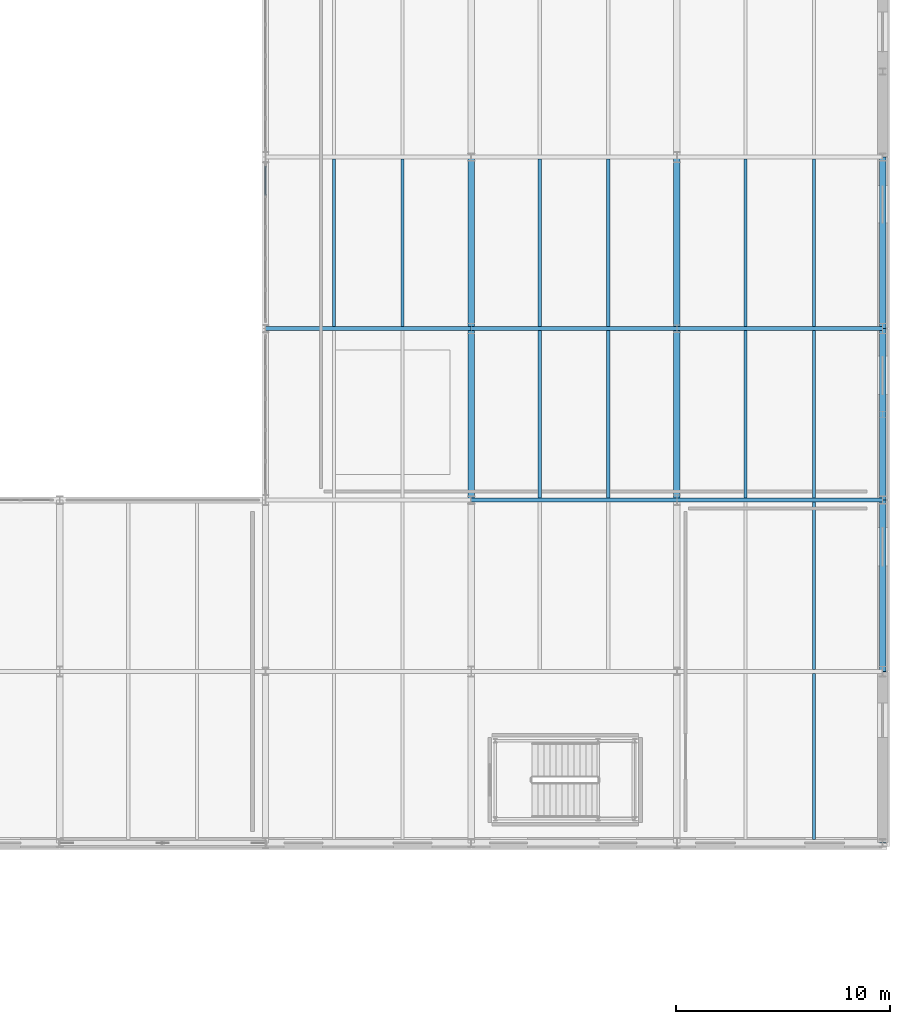
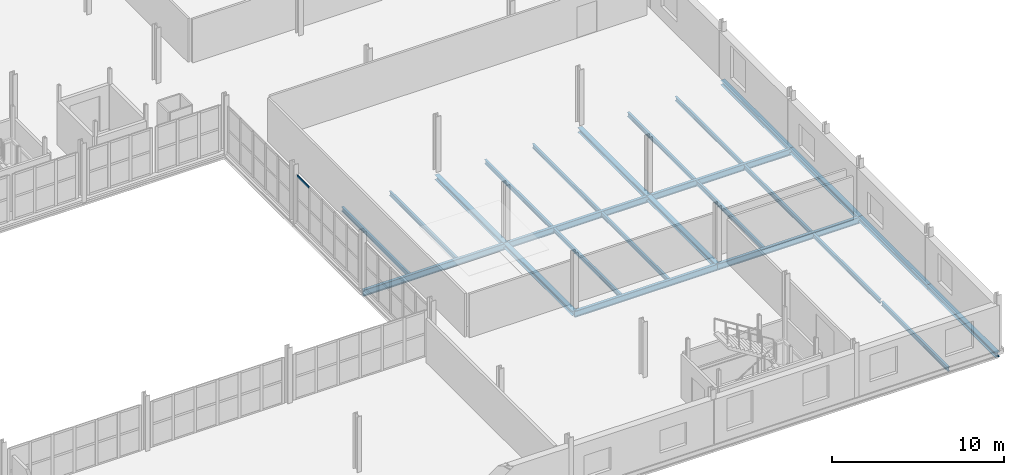
# One storey, part 45 of 78: 25 beams, 1 member, 1 element without a shape of its own.
"""IFC4 building model written with IfcOpenShell, lengths in metres."""

from ifc_helpers import new_model, si_unit, direction, frame, origin, origin_2d, place, context, subcontext, project, spatial, rectangle, i_section, extrude, material, layer, layer_set, material_profile, profile_set, type_object, element, aggregate, save


model = new_model("IFC4")

# Units and contexts
model_context = context("Model", 3, precision=1e-05, world=origin(), true_north=direction((0.0, 1.0)))
body_context = subcontext(model_context, "Body", "Model", "MODEL_VIEW")
ifc_project = project(units=[si_unit("LENGTHUNIT", "METRE"), si_unit("AREAUNIT", "SQUARE_METRE"), si_unit("VOLUMEUNIT", "CUBIC_METRE"), si_unit("PLANEANGLEUNIT", "RADIAN"), si_unit("MASSUNIT", "GRAM", prefix="KILO")], contexts=[model_context])

# Site, building, storey
site_placement = place(None, origin())
site = spatial("IfcSite", under=ifc_project, at=site_placement, CompositionType="ELEMENT")
building_placement = place(site_placement, origin())
building = spatial("IfcBuilding", under=site, at=building_placement, Name="Alderhovde Museum", CompositionType="ELEMENT")
storey_placement = place(building_placement, frame((0.0, 0.0, 4.5)))
storey = spatial("IfcBuildingStorey", under=building, at=storey_placement, Name="L01", CompositionType="ELEMENT", Elevation=4.5)

# Beams
ifc_material_1 = material(Name="Steel S355J2", Category="steel")
ifc_material_profile_1 = material_profile(ifc_material_1, i_section(OverallWidth=0.300048828125, OverallDepth=0.330078125, WebThickness=0.009521484375, FlangeThickness=0.0166015625, FilletRadius=0.027099609375, at=origin_2d()), Name="HEA 340")
ifc_profile_set_1 = profile_set([ifc_material_profile_1], Name="Steel S355J2")
beam_type_1 = type_object("IfcBeamType", Name="BM-HEA340", PredefinedType="BEAM", material=ifc_profile_set_1)
for number, where, z_axis, x_axis, name in (
    (1, (153.60009765625, 48.0, -0.425048828125), (0.0, 1.0, 0.0), (-1.0, 0.0, 0.0), "L01 Grid Beam X=153.6 (48.0 TO 56.0)"),
    (2, (153.60009765625, 56.0, -0.425048828125), (0.0, 1.0, 0.0), (-1.0, 0.0, 0.0), "L01 Grid Beam X=153.6 (56.0 TO 64.0)"),
    (3, (163.199951171875, 48.0, -0.425048828125), (0.0, 1.0, 0.0), (-1.0, 0.0, 0.0), "L01 Grid Beam X=163.2 (48.0 TO 56.0)"),
    (4, (163.199951171875, 56.0, -0.425048828125), (0.0, 1.0, 0.0), (-1.0, 0.0, 0.0), "L01 Grid Beam X=163.2 (56.0 TO 64.0)"),
    (5, (172.800048828125, 32.0, -0.425048828125), (0.0, 1.0, 0.0), (-1.0, 0.0, 0.0), "L01 Grid Beam X=172.8 (32.0 TO 40.0)"),
    (6, (172.800048828125, 40.0, -0.425048828125), (0.0, 1.0, 0.0), (-1.0, 0.0, 0.0), "L01 Grid Beam X=172.8 (40.0 TO 48.0)"),
    (7, (172.800048828125, 48.0, -0.425048828125), (0.0, 1.0, 0.0), (-1.0, 0.0, 0.0), "L01 Grid Beam X=172.8 (48.0 TO 56.0)"),
    (8, (172.800048828125, 56.0, -0.425048828125), (0.0, 1.0, 0.0), (-1.0, 0.0, 0.0), "L01 Grid Beam X=172.8 (56.0 TO 64.0)"),
):
    element("IfcBeam", number, at=place(storey_placement, frame(where, z_axis=z_axis, x_axis=x_axis)), inside=storey, type_object=beam_type_1, Name=name, PredefinedType="BEAM", context=body_context, shape_type="SweptSolid", body=[
        extrude(i_section(OverallWidth=0.300048828125, OverallDepth=0.330078125, WebThickness=0.009521484375, FlangeThickness=0.0166015625, FilletRadius=0.027099609375, at=origin_2d()), origin(), (0.0, 0.0, 1.0), 8.0),
    ])
ifc_material_2 = material(Name="Steel S355J2", Category="steel")
ifc_material_profile_2 = material_profile(ifc_material_2, i_section(OverallWidth=0.18994140625, OverallDepth=0.449951171875, WebThickness=0.009521484375, FlangeThickness=0.0146484375, FilletRadius=0.02099609375, at=origin_2d()), Name="IPE 450")
ifc_profile_set_2 = profile_set([ifc_material_profile_2], Name="Steel S355J2")
beam_type_2 = type_object("IfcBeamType", Name="BM-IPE450", PredefinedType="BEAM", material=ifc_profile_set_2)
beam_1_placement = place(storey_placement, frame((153.60009765625, 48.0, -0.485107421875), z_axis=(1.0, 0.0, 0.0), x_axis=(0.0, 1.0, 0.0)))
element("IfcBeam", 9, at=beam_1_placement, inside=storey, type_object=beam_type_2, Name="L01 Grid Beam Y=48.0 (153.6 TO 163.2)", PredefinedType="BEAM", context=body_context, shape_type="SweptSolid", body=[
    extrude(i_section(OverallWidth=0.18994140625, OverallDepth=0.449951171875, WebThickness=0.009521484375, FlangeThickness=0.0146484375, FilletRadius=0.02099609375, at=origin_2d()), origin(), (0.0, 0.0, 1.0), 9.599853515625),
])
for number, where, z_axis, x_axis, name in (
    (10, (163.199951171875, 48.0, -0.485107421875), (1.0, 0.0, 0.0), (0.0, 1.0, 0.0), "L01 Grid Beam Y=48.0 (163.2 TO 172.8)"),
    (11, (144.0, 56.0, -0.485107421875), (1.0, 0.0, 0.0), (0.0, 1.0, 0.0), "L01 Grid Beam Y=56.0 (144.0 TO 153.6)"),
):
    element("IfcBeam", number, at=place(storey_placement, frame(where, z_axis=z_axis, x_axis=x_axis)), inside=storey, type_object=beam_type_2, Name=name, PredefinedType="BEAM", context=body_context, shape_type="SweptSolid", body=[
        extrude(i_section(OverallWidth=0.18994140625, OverallDepth=0.449951171875, WebThickness=0.009521484375, FlangeThickness=0.0146484375, FilletRadius=0.02099609375, at=origin_2d()), origin(), (0.0, 0.0, 1.0), 9.60009765625),
    ])
beam_2_placement = place(storey_placement, frame((153.60009765625, 56.0, -0.485107421875), z_axis=(1.0, 0.0, 0.0), x_axis=(0.0, 1.0, 0.0)))
element("IfcBeam", 12, at=beam_2_placement, inside=storey, type_object=beam_type_2, Name="L01 Grid Beam Y=56.0 (153.6 TO 163.2)", PredefinedType="BEAM", context=body_context, shape_type="SweptSolid", body=[
    extrude(i_section(OverallWidth=0.18994140625, OverallDepth=0.449951171875, WebThickness=0.009521484375, FlangeThickness=0.0146484375, FilletRadius=0.02099609375, at=origin_2d()), origin(), (0.0, 0.0, 1.0), 9.599853515625),
])
beam_3_placement = place(storey_placement, frame((163.199951171875, 56.0, -0.485107421875), z_axis=(1.0, 0.0, 0.0), x_axis=(0.0, 1.0, 0.0)))
element("IfcBeam", 13, at=beam_3_placement, inside=storey, type_object=beam_type_2, Name="L01 Grid Beam Y=56.0 (163.2 TO 172.8)", PredefinedType="BEAM", context=body_context, shape_type="SweptSolid", body=[
    extrude(i_section(OverallWidth=0.18994140625, OverallDepth=0.449951171875, WebThickness=0.009521484375, FlangeThickness=0.0146484375, FilletRadius=0.02099609375, at=origin_2d()), origin(), (0.0, 0.0, 1.0), 9.60009765625),
])

# Curtain wall, member
ifc_material_3 = material(Name="Triple-Glazed Bronze-Anodised Curtain Wall", Category="glass")
ifc_layer = layer(ifc_material_3, 0.179931640625)
ifc_layer_set = layer_set([ifc_layer], Name="Triple-Glazed Bronze-Anodised Curtain Wall")
curtain_wall_type = type_object("IfcCurtainWallType", Name="CW-STIC-730x326", PredefinedType="USERDEFINED", material=ifc_layer_set)
curtain_wall_placement = place(storey_placement, origin())
curtain_wall = element("IfcCurtainWall", 14, at=curtain_wall_placement, inside=storey, type_object=curtain_wall_type, Name="L01 Stick Curtain Wall 153", ObjectType="STICK CURTAIN WALL", PredefinedType="USERDEFINED")
ifc_material_4 = material(Name="Bronze-Anodised Aluminium EN AW-6063-T6", Category="aluminium")
ifc_material_profile_3 = material_profile(ifc_material_4, rectangle(XDim=0.06494140625, YDim=0.139892578125, at=origin_2d()), Name="TRANSOM 65x140")
ifc_profile_set_3 = profile_set([ifc_material_profile_3], Name="Bronze-Anodised Aluminium EN AW-6063-T6")
member_type = type_object("IfcMemberType", Name="CWT-65x140", PredefinedType="USERDEFINED", material=ifc_profile_set_3)
member_placement = place(storey_placement, frame((144.0, 62.222412109375, 3.2275390625), z_axis=(0.0, 1.0, 0.0), x_axis=(-1.0, 0.0, 0.0)))
member = element("IfcMember", 15, at=member_placement, type_object=member_type, Name="CW36 transom 5.3", ObjectType="TRANSOM", PredefinedType="USERDEFINED", context=body_context, shape_type="SweptSolid", body=[
    extrude(rectangle(XDim=0.06494140625, YDim=0.139892578125, at=origin_2d()), origin(), (0.0, 0.0, 1.0), 1.362548828125),
])
aggregate(curtain_wall, [member])

# Beams
ifc_material_5 = material(Name="Steel S355J2", Category="steel")
ifc_material_profile_4 = material_profile(ifc_material_5, i_section(OverallWidth=0.14990234375, OverallDepth=0.300048828125, WebThickness=0.007080078125, FlangeThickness=0.0107421875, FilletRadius=0.014892578125, at=origin_2d()), Name="IPE 300")
ifc_profile_set_4 = profile_set([ifc_material_profile_4], Name="Steel S355J2")
beam_type_3 = type_object("IfcBeamType", Name="JST-IPE300", PredefinedType="JOIST", material=ifc_profile_set_4)
for number, where, z_axis, x_axis, name in (
    (16, (147.199951171875, 56.094970703125, -0.409912109375), (0.0, 1.0, 0.0), (-1.0, 0.0, 0.0), "L01 Composite Joist X=147.2 (56.0 TO 64.0)"),
    (17, (150.39990234375, 56.094970703125, -0.409912109375), (0.0, 1.0, 0.0), (-1.0, 0.0, 0.0), "L01 Composite Joist X=150.4 (56.0 TO 64.0)"),
    (18, (156.800048828125, 48.094970703125, -0.409912109375), (0.0, 1.0, 0.0), (-1.0, 0.0, 0.0), "L01 Composite Joist X=156.8 (48.0 TO 56.0)"),
    (19, (160.0, 48.094970703125, -0.409912109375), (0.0, 1.0, 0.0), (-1.0, 0.0, 0.0), "L01 Composite Joist X=160.0 (48.0 TO 56.0)"),
    (20, (156.800048828125, 56.094970703125, -0.409912109375), (0.0, 1.0, 0.0), (-1.0, 0.0, 0.0), "L01 Composite Joist X=156.8 (56.0 TO 64.0)"),
    (21, (160.0, 56.094970703125, -0.409912109375), (0.0, 1.0, 0.0), (-1.0, 0.0, 0.0), "L01 Composite Joist X=160.0 (56.0 TO 64.0)"),
):
    element("IfcBeam", number, at=place(storey_placement, frame(where, z_axis=z_axis, x_axis=x_axis)), inside=storey, type_object=beam_type_3, Name=name, PredefinedType="JOIST", context=body_context, shape_type="SweptSolid", body=[
        extrude(i_section(OverallWidth=0.14990234375, OverallDepth=0.300048828125, WebThickness=0.007080078125, FlangeThickness=0.0107421875, FilletRadius=0.014892578125, at=origin_2d()), origin(), (0.0, 0.0, 1.0), 7.81005859375),
    ])
beam_4_placement = place(storey_placement, frame((169.60009765625, 32.14990234375, -0.409912109375), z_axis=(0.0, 1.0, 0.0), x_axis=(-1.0, 0.0, 0.0)))
element("IfcBeam", 22, at=beam_4_placement, inside=storey, type_object=beam_type_3, Name="L01 Composite Joist X=169.6 (32.0 TO 40.0)", PredefinedType="JOIST", context=body_context, shape_type="SweptSolid", body=[
    extrude(i_section(OverallWidth=0.14990234375, OverallDepth=0.300048828125, WebThickness=0.007080078125, FlangeThickness=0.0107421875, FilletRadius=0.014892578125, at=origin_2d()), origin(), (0.0, 0.0, 1.0), 7.755126953125),
])
for number, where, z_axis, x_axis, name in (
    (23, (169.60009765625, 40.094970703125, -0.409912109375), (0.0, 1.0, 0.0), (-1.0, 0.0, 0.0), "L01 Composite Joist X=169.6 (40.0 TO 48.0)"),
    (24, (166.39990234375, 48.094970703125, -0.409912109375), (0.0, 1.0, 0.0), (-1.0, 0.0, 0.0), "L01 Composite Joist X=166.4 (48.0 TO 56.0)"),
    (25, (169.60009765625, 48.094970703125, -0.409912109375), (0.0, 1.0, 0.0), (-1.0, 0.0, 0.0), "L01 Composite Joist X=169.6 (48.0 TO 56.0)"),
    (26, (166.39990234375, 56.094970703125, -0.409912109375), (0.0, 1.0, 0.0), (-1.0, 0.0, 0.0), "L01 Composite Joist X=166.4 (56.0 TO 64.0)"),
    (27, (169.60009765625, 56.094970703125, -0.409912109375), (0.0, 1.0, 0.0), (-1.0, 0.0, 0.0), "L01 Composite Joist X=169.6 (56.0 TO 64.0)"),
):
    element("IfcBeam", number, at=place(storey_placement, frame(where, z_axis=z_axis, x_axis=x_axis)), inside=storey, type_object=beam_type_3, Name=name, PredefinedType="JOIST", context=body_context, shape_type="SweptSolid", body=[
        extrude(i_section(OverallWidth=0.14990234375, OverallDepth=0.300048828125, WebThickness=0.007080078125, FlangeThickness=0.0107421875, FilletRadius=0.014892578125, at=origin_2d()), origin(), (0.0, 0.0, 1.0), 7.81005859375),
    ])

save(model, "model.ifc")
